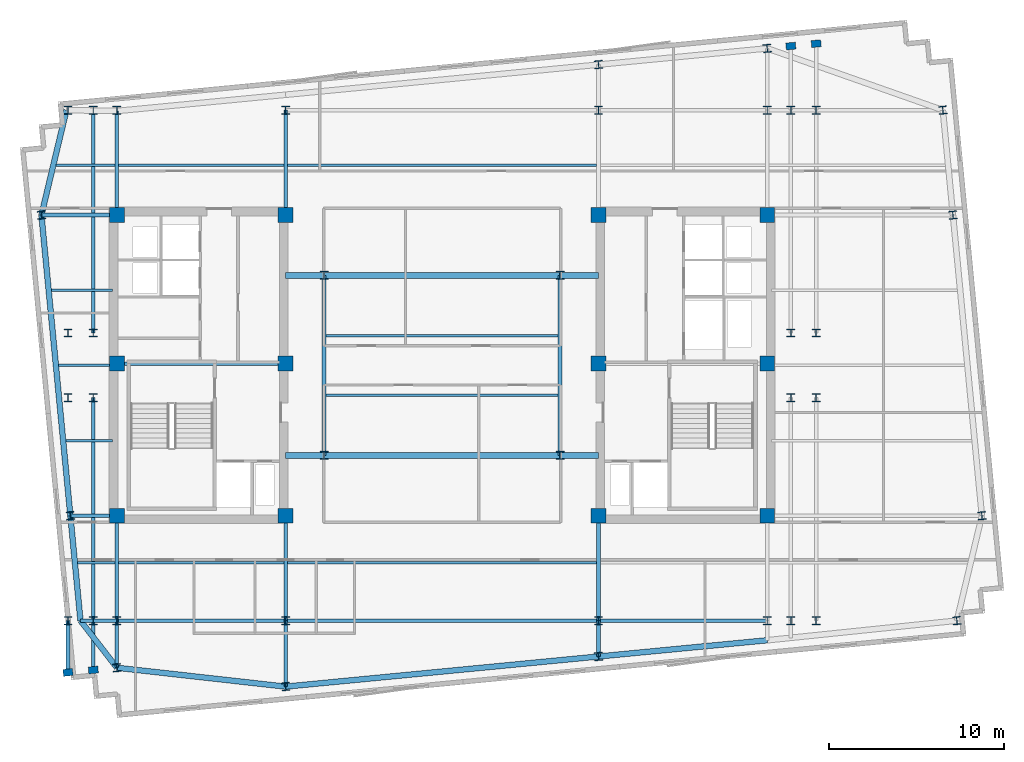
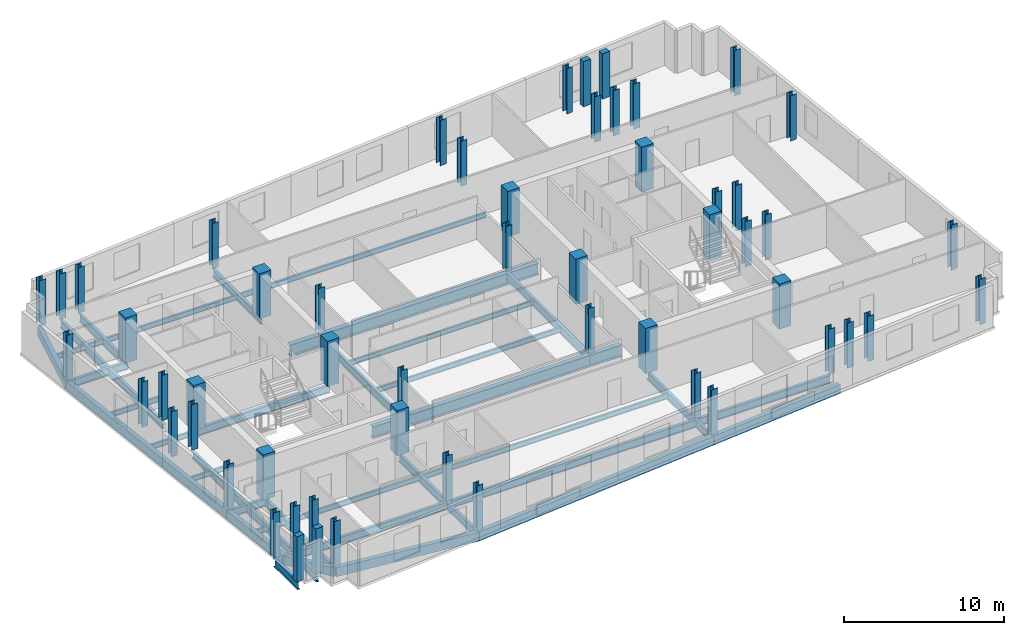
# One storey, part 1 of 8: 55 columns, 45 beams.
"""IFC4 building model written with IfcOpenShell, lengths in metres."""

from ifc_helpers import new_model, si_unit, direction, frame, origin, origin_2d, place, context, subcontext, project, spatial, rectangle, i_section, extrude, material, material_profile, profile_set, type_object, element, save


model = new_model("IFC4")

# Units and contexts
model_context = context("Model", 3, precision=1e-05, world=origin(), true_north=direction((0.0, 1.0)))
body_context = subcontext(model_context, "Body", "Model", "MODEL_VIEW")
ifc_project = project(units=[si_unit("LENGTHUNIT", "METRE"), si_unit("AREAUNIT", "SQUARE_METRE"), si_unit("VOLUMEUNIT", "CUBIC_METRE"), si_unit("PLANEANGLEUNIT", "RADIAN"), si_unit("MASSUNIT", "GRAM", prefix="KILO")], contexts=[model_context])

# Site, building, storey
site_placement = place(None, origin())
site = spatial("IfcSite", under=ifc_project, at=site_placement, CompositionType="ELEMENT")
building_placement = place(site_placement, origin())
building = spatial("IfcBuilding", under=site, at=building_placement, Name="Velakula Bourse", CompositionType="ELEMENT")
storey_placement = place(building_placement, frame((0.0, 0.0, 258.60009765625)))
storey = spatial("IfcBuildingStorey", under=building, at=storey_placement, Name="L70", CompositionType="ELEMENT", Elevation=258.60009765625)

# Columns
ifc_material_1 = material(Name="Concrete M50 (fck 50 MPa)", Category="concrete")
ifc_material_profile_1 = material_profile(ifc_material_1, rectangle(XDim=0.85009765625, YDim=0.85009765625, at=origin_2d()), Name="Concrete M50 (fck 50 MPa)")
ifc_profile_set_1 = profile_set([ifc_material_profile_1], Name="Concrete M50 (fck 50 MPa)")
column_type_1 = type_object("IfcColumnType", Name="COL-RC-850", PredefinedType="COLUMN", material=ifc_profile_set_1)
for number, where, z_axis, x_axis, name in (
    (1, (-8.949951171875, -8.60009765625, 0.0), (0.0, 0.0, 1.0), (1.0, 0.0, 0.0), "L70 Core Boundary Column 01"),
    (2, (-8.949951171875, 0.10009765625, 0.0), (0.0, 0.0, 1.0), (1.0, 0.0, 0.0), "L70 Core Boundary Column 02"),
    (3, (-8.949951171875, 8.60009765625, 0.0), (0.0, 0.0, 1.0), (1.0, 0.0, 0.0), "L70 Core Boundary Column 03"),
    (4, (-18.60009765625, -8.60009765625, 0.0), (0.0, 0.0, 1.0), (1.0, 0.0, 0.0), "L70 Core Boundary Column 04"),
    (5, (-18.60009765625, 0.10009765625, 0.0), (0.0, 0.0, 1.0), (1.0, 0.0, 0.0), "L70 Core Boundary Column 05"),
    (6, (-18.60009765625, 8.60009765625, 0.0), (0.0, 0.0, 1.0), (1.0, 0.0, 0.0), "L70 Core Boundary Column 06"),
    (7, (8.949951171875, -8.60009765625, 0.0), (0.0, 0.0, 1.0), (1.0, 0.0, 0.0), "L70 Core Boundary Column 07"),
    (8, (8.949951171875, 0.10009765625, 0.0), (0.0, 0.0, 1.0), (1.0, 0.0, 0.0), "L70 Core Boundary Column 08"),
    (9, (8.949951171875, 8.60009765625, 0.0), (0.0, 0.0, 1.0), (1.0, 0.0, 0.0), "L70 Core Boundary Column 09"),
    (10, (18.60009765625, -8.60009765625, 0.0), (0.0, 0.0, 1.0), (1.0, 0.0, 0.0), "L70 Core Boundary Column 10"),
    (11, (18.60009765625, 0.10009765625, 0.0), (0.0, 0.0, 1.0), (1.0, 0.0, 0.0), "L70 Core Boundary Column 11"),
    (12, (18.60009765625, 8.60009765625, 0.0), (0.0, 0.0, 1.0), (1.0, 0.0, 0.0), "L70 Core Boundary Column 12"),
):
    element("IfcColumn", number, at=place(storey_placement, frame(where, z_axis=z_axis, x_axis=x_axis)), inside=storey, type_object=column_type_1, Name=name, PredefinedType="COLUMN", context=body_context, shape_type="SweptSolid", body=[
        extrude(rectangle(XDim=0.85009765625, YDim=0.85009765625, at=origin_2d()), origin(), (0.0, 0.0, 1.0), 3.449951171875),
    ])
ifc_material_2 = material(Name="Steel IS 2062 Grade 350 (E350)", Category="steel")
ifc_material_profile_2 = material_profile(ifc_material_2, i_section(OverallWidth=0.449951171875, OverallDepth=0.449951171875, WebThickness=0.02197265625, FlangeThickness=0.031982421875, at=origin_2d()), Name="Steel IS 2062 Grade 350 (E350)")
ifc_profile_set_2 = profile_set([ifc_material_profile_2], Name="Steel IS 2062 Grade 350 (E350)")
column_type_2 = type_object("IfcColumnType", Name="COL-STL-450", PredefinedType="COLUMN", material=ifc_profile_set_2)
for number, where, z_axis, x_axis, name in (
    (13, (-6.75, -5.14990234375, 0.0), (0.0, 0.0, 1.0), (1.0, 0.0, 0.0), "L70 Central Spine Column 01"),
    (14, (-6.75, 5.14990234375, 0.0), (0.0, 0.0, 1.0), (1.0, 0.0, 0.0), "L70 Central Spine Column 02"),
    (15, (6.75, -5.14990234375, 0.0), (0.0, 0.0, 1.0), (1.0, 0.0, 0.0), "L70 Central Spine Column 03"),
    (16, (6.75, 5.14990234375, 0.0), (0.0, 0.0, 1.0), (1.0, 0.0, 0.0), "L70 Central Spine Column 04"),
    (17, (-21.39990234375, -14.60009765625, 0.0), (0.0, 0.0, 1.0), (1.0, 0.0, 0.0), "L70 Tower Fulcrum Column 01"),
    (18, (-21.39990234375, 14.60009765625, 0.0), (0.0, 0.0, 1.0), (1.0, 0.0, 0.0), "L70 Tower Fulcrum Column 02"),
    (19, (-19.949951171875, -14.60009765625, 0.0), (0.0, 0.0, 1.0), (1.0, 0.0, 0.0), "L70 Tower Fulcrum Column 03"),
    (20, (-19.949951171875, 14.60009765625, 0.0), (0.0, 0.0, 1.0), (1.0, 0.0, 0.0), "L70 Tower Fulcrum Column 04"),
    (21, (-18.60009765625, -14.60009765625, 0.0), (0.0, 0.0, 1.0), (1.0, 0.0, 0.0), "L70 Tower Fulcrum Column 05"),
    (22, (-18.60009765625, 14.60009765625, 0.0), (0.0, 0.0, 1.0), (1.0, 0.0, 0.0), "L70 Tower Fulcrum Column 06"),
    (23, (-8.949951171875, -14.60009765625, 0.0), (0.0, 0.0, 1.0), (1.0, 0.0, 0.0), "L70 Tower Fulcrum Column 07"),
    (24, (-8.949951171875, 14.60009765625, 0.0), (0.0, 0.0, 1.0), (1.0, 0.0, 0.0), "L70 Tower Fulcrum Column 08"),
    (25, (8.949951171875, -14.60009765625, 0.0), (0.0, 0.0, 1.0), (1.0, 0.0, 0.0), "L70 Tower Fulcrum Column 09"),
    (26, (8.949951171875, 14.60009765625, 0.0), (0.0, 0.0, 1.0), (1.0, 0.0, 0.0), "L70 Tower Fulcrum Column 10"),
    (27, (18.60009765625, -14.60009765625, 0.0), (0.0, 0.0, 1.0), (1.0, 0.0, 0.0), "L70 Tower Fulcrum Column 11"),
    (28, (18.60009765625, 14.60009765625, 0.0), (0.0, 0.0, 1.0), (1.0, 0.0, 0.0), "L70 Tower Fulcrum Column 12"),
    (29, (19.949951171875, -14.60009765625, 0.0), (0.0, 0.0, 1.0), (1.0, 0.0, 0.0), "L70 Tower Fulcrum Column 13"),
    (30, (19.949951171875, 14.60009765625, 0.0), (0.0, 0.0, 1.0), (1.0, 0.0, 0.0), "L70 Tower Fulcrum Column 14"),
    (31, (21.39990234375, -14.60009765625, 0.0), (0.0, 0.0, 1.0), (1.0, 0.0, 0.0), "L70 Tower Fulcrum Column 15"),
    (32, (21.39990234375, 14.60009765625, 0.0), (0.0, 0.0, 1.0), (1.0, 0.0, 0.0), "L70 Tower Fulcrum Column 16"),
    (33, (-21.39990234375, -1.85009765625, 0.0), (0.0, 0.0, 1.0), (1.0, 0.0, 0.0), "L70 Tower Fulcrum Column 17"),
    (34, (-21.39990234375, 1.85009765625, 0.0), (0.0, 0.0, 1.0), (1.0, 0.0, 0.0), "L70 Tower Fulcrum Column 18"),
    (35, (-19.949951171875, -1.85009765625, 0.0), (0.0, 0.0, 1.0), (1.0, 0.0, 0.0), "L70 Tower Fulcrum Column 19"),
    (36, (-19.949951171875, 1.85009765625, 0.0), (0.0, 0.0, 1.0), (1.0, 0.0, 0.0), "L70 Tower Fulcrum Column 20"),
    (37, (19.949951171875, -1.85009765625, 0.0), (0.0, 0.0, 1.0), (1.0, 0.0, 0.0), "L70 Tower Fulcrum Column 21"),
    (38, (19.949951171875, 1.85009765625, 0.0), (0.0, 0.0, 1.0), (1.0, 0.0, 0.0), "L70 Tower Fulcrum Column 22"),
    (39, (21.39990234375, -1.85009765625, 0.0), (0.0, 0.0, 1.0), (1.0, 0.0, 0.0), "L70 Tower Fulcrum Column 23"),
    (40, (21.39990234375, 1.85009765625, 0.0), (0.0, 0.0, 1.0), (1.0, 0.0, 0.0), "L70 Tower Fulcrum Column 24"),
    (41, (-18.60009765625, -17.294921875, 0.0), (0.0, 0.0, 1.0), (0.995396198367, 0.09584575252, 0.0), "L70 Block B6 Perimeter Column S1"),
    (42, (-8.949951171875, -18.375, 0.0), (0.0, 0.0, 1.0), (0.995396198367, 0.09584575252, 0.0), "L70 Block B6 Perimeter Column S2"),
    (43, (8.949951171875, -16.6513671875, 0.0), (0.0, 0.0, 1.0), (0.995396198367, 0.09584575252, 0.0), "L70 Block B6 Perimeter Column S3"),
    (44, (8.949951171875, 17.20458984375, 0.0), (0.0, 0.0, 1.0), (0.995396198367, 0.09584575252, 0.0), "L70 Block B6 Perimeter Column N3"),
    (45, (18.60009765625, 18.1337890625, 0.0), (0.0, 0.0, 1.0), (0.995396198367, 0.09584575252, 0.0), "L70 Block B6 Perimeter Column N4"),
    (46, (-21.26123046875, -8.60009765625, 0.0), (0.0, 0.0, 1.0), (0.995396198367, 0.09584575252, 0.0), "L70 Block B6 Perimeter Column W2"),
    (47, (-22.91748046875, 8.60009765625, 0.0), (0.0, 0.0, 1.0), (0.995396198367, 0.09584575252, 0.0), "L70 Block B6 Perimeter Column W3"),
    (48, (29.447265625, -14.60009765625, 0.0), (0.0, 0.0, 1.0), (0.995396198367, 0.09584575252, 0.0), "L70 Block B6 Perimeter Column E1"),
    (49, (30.87890625, -8.60009765625, 0.0), (0.0, 0.0, 1.0), (0.995396198367, 0.09584575252, 0.0), "L70 Block B6 Perimeter Column E2"),
    (50, (29.22265625, 8.60009765625, 0.0), (0.0, 0.0, 1.0), (0.995396198367, 0.09584575252, 0.0), "L70 Block B6 Perimeter Column E3"),
    (51, (28.64501953125, 14.60009765625, 0.0), (0.0, 0.0, 1.0), (0.995396198367, 0.09584575252, 0.0), "L70 Block B6 Perimeter Column E4"),
):
    element("IfcColumn", number, at=place(storey_placement, frame(where, z_axis=z_axis, x_axis=x_axis)), inside=storey, type_object=column_type_2, Name=name, PredefinedType="COLUMN", context=body_context, shape_type="SweptSolid", body=[
        extrude(i_section(OverallWidth=0.449951171875, OverallDepth=0.449951171875, WebThickness=0.02197265625, FlangeThickness=0.031982421875, at=origin_2d()), origin(), (0.0, 0.0, 1.0), 3.449951171875),
    ])
ifc_material_3 = material(Name="Precast concrete M45 (fck 45 MPa)", Category="concrete")
ifc_material_profile_3 = material_profile(ifc_material_3, rectangle(XDim=0.550048828125, YDim=0.39990234375, at=origin_2d()), Name="Precast concrete M45 (fck 45 MPa)")
ifc_profile_set_3 = profile_set([ifc_material_profile_3], Name="Precast concrete M45 (fck 45 MPa)")
column_type_3 = type_object("IfcColumnType", Name="PIL-BRICK-550", PredefinedType="PILASTER", material=ifc_profile_set_3)
for number, where, z_axis, x_axis, name in (
    (52, (-21.39990234375, -17.564453125, 0.0), (0.0, 0.0, 1.0), (0.995396198367, 0.09584575252, 0.0), "L70 Brick Pier Pilaster 01"),
    (53, (-19.949951171875, -17.4248046875, 0.0), (0.0, 0.0, 1.0), (0.995396198367, 0.09584575252, 0.0), "L70 Brick Pier Pilaster 02"),
    (54, (19.949951171875, 18.263671875, 0.0), (0.0, 0.0, 1.0), (0.995396198367, 0.09584575252, 0.0), "L70 Brick Pier Pilaster 07"),
    (55, (21.39990234375, 18.4033203125, 0.0), (0.0, 0.0, 1.0), (0.995396198367, 0.09584575252, 0.0), "L70 Brick Pier Pilaster 08"),
):
    element("IfcColumn", number, at=place(storey_placement, frame(where, z_axis=z_axis, x_axis=x_axis)), inside=storey, type_object=column_type_3, Name=name, PredefinedType="PILASTER", context=body_context, shape_type="SweptSolid", body=[
        extrude(rectangle(XDim=0.550048828125, YDim=0.39990234375, at=origin_2d()), origin(), (0.0, 0.0, 1.0), 3.449951171875),
    ])

# Beams
ifc_material_profile_4 = material_profile(ifc_material_2, i_section(OverallWidth=0.2099609375, OverallDepth=0.60009765625, WebThickness=0.011962890625, FlangeThickness=0.020751953125, at=origin_2d()), Name="Steel IS 2062 Grade 350 (E350)")
ifc_profile_set_4 = profile_set([ifc_material_profile_4], Name="Steel IS 2062 Grade 350 (E350)")
beam_type_1 = type_object("IfcBeamType", Name="BM-GRD-600L", PredefinedType="BEAM", material=ifc_profile_set_4)
beam_1_placement = place(storey_placement, frame((-18.60009765625, 0.10009765625, -0.47998046875), z_axis=(1.0, 0.0, 0.0), x_axis=(0.0, 1.0, 0.0)))
element("IfcBeam", 56, at=beam_1_placement, inside=storey, type_object=beam_type_1, Name="L70 Primary Backbone Girder CRW-M", PredefinedType="BEAM", context=body_context, shape_type="SweptSolid", body=[
    extrude(i_section(OverallWidth=0.2099609375, OverallDepth=0.60009765625, WebThickness=0.011962890625, FlangeThickness=0.020751953125, at=origin_2d()), origin(), (0.0, 0.0, 1.0), 9.650146484375),
])
for number, where, z_axis, x_axis, name in (
    (57, (-6.75, -5.14990234375, -0.47998046875), (0.0, 1.0, 0.0), (-1.0, 0.0, 0.0), "L70 Primary Backbone Girder SPN-W"),
    (58, (6.75, -5.14990234375, -0.47998046875), (0.0, 1.0, 0.0), (-1.0, 0.0, 0.0), "L70 Primary Backbone Girder SPN-E"),
):
    element("IfcBeam", number, at=place(storey_placement, frame(where, z_axis=z_axis, x_axis=x_axis)), inside=storey, type_object=beam_type_1, Name=name, PredefinedType="BEAM", context=body_context, shape_type="SweptSolid", body=[
        extrude(i_section(OverallWidth=0.2099609375, OverallDepth=0.60009765625, WebThickness=0.011962890625, FlangeThickness=0.020751953125, at=origin_2d()), origin(), (0.0, 0.0, 1.0), 10.2998046875),
    ])
beam_2_placement = place(storey_placement, frame((-18.60009765625, -14.60009765625, -0.47998046875), z_axis=(0.0, 1.0, 0.0), x_axis=(-1.0, 0.0, 0.0)))
element("IfcBeam", 59, at=beam_2_placement, inside=storey, type_object=beam_type_1, Name="L70 Fulcrum Grid Girder FLC-WS", PredefinedType="BEAM", context=body_context, shape_type="SweptSolid", body=[
    extrude(i_section(OverallWidth=0.2099609375, OverallDepth=0.60009765625, WebThickness=0.011962890625, FlangeThickness=0.020751953125, at=origin_2d()), origin(), (0.0, 0.0, 1.0), 6.0),
])
beam_3_placement = place(storey_placement, frame((-18.60009765625, 8.60009765625, -0.47998046875), z_axis=(0.0, 1.0, 0.0), x_axis=(-1.0, 0.0, 0.0)))
element("IfcBeam", 60, at=beam_3_placement, inside=storey, type_object=beam_type_1, Name="L70 Fulcrum Grid Girder FLC-WN", PredefinedType="BEAM", context=body_context, shape_type="SweptSolid", body=[
    extrude(i_section(OverallWidth=0.2099609375, OverallDepth=0.60009765625, WebThickness=0.011962890625, FlangeThickness=0.020751953125, at=origin_2d()), origin(), (0.0, 0.0, 1.0), 5.95166015625),
])
for number, where, z_axis, x_axis, name in (
    (61, (-8.949951171875, -14.60009765625, -0.47998046875), (0.0, 1.0, 0.0), (-1.0, 0.0, 0.0), "L70 Fulcrum Grid Girder FLC-WCS"),
    (62, (-8.949951171875, 8.60009765625, -0.47998046875), (0.0, 1.0, 0.0), (-1.0, 0.0, 0.0), "L70 Fulcrum Grid Girder FLC-WCN"),
    (63, (8.949951171875, -14.60009765625, -0.47998046875), (0.0, 1.0, 0.0), (-1.0, 0.0, 0.0), "L70 Fulcrum Grid Girder FLC-ECS"),
):
    element("IfcBeam", number, at=place(storey_placement, frame(where, z_axis=z_axis, x_axis=x_axis)), inside=storey, type_object=beam_type_1, Name=name, PredefinedType="BEAM", context=body_context, shape_type="SweptSolid", body=[
        extrude(i_section(OverallWidth=0.2099609375, OverallDepth=0.60009765625, WebThickness=0.011962890625, FlangeThickness=0.020751953125, at=origin_2d()), origin(), (0.0, 0.0, 1.0), 6.0),
    ])
beam_4_placement = place(storey_placement, frame((-18.60009765625, -14.60009765625, -0.47998046875), z_axis=(1.0, 0.0, 0.0), x_axis=(0.0, 1.0, 0.0)))
element("IfcBeam", 64, at=beam_4_placement, inside=storey, type_object=beam_type_1, Name="L70 Fulcrum Grid Girder FLC-S1", PredefinedType="BEAM", context=body_context, shape_type="SweptSolid", body=[
    extrude(i_section(OverallWidth=0.2099609375, OverallDepth=0.60009765625, WebThickness=0.011962890625, FlangeThickness=0.020751953125, at=origin_2d()), origin(), (0.0, 0.0, 1.0), 9.650146484375),
])
beam_5_placement = place(storey_placement, frame((-8.949951171875, -14.60009765625, -0.47998046875), z_axis=(1.0, 0.0, 0.0), x_axis=(0.0, 1.0, 0.0)))
element("IfcBeam", 65, at=beam_5_placement, inside=storey, type_object=beam_type_1, Name="L70 Fulcrum Grid Girder FLC-S2", PredefinedType="BEAM", context=body_context, shape_type="SweptSolid", body=[
    extrude(i_section(OverallWidth=0.2099609375, OverallDepth=0.60009765625, WebThickness=0.011962890625, FlangeThickness=0.020751953125, at=origin_2d()), origin(), (0.0, 0.0, 1.0), 17.89990234375),
])
beam_6_placement = place(storey_placement, frame((8.949951171875, -14.60009765625, -0.47998046875), z_axis=(1.0, 0.0, 0.0), x_axis=(0.0, 1.0, 0.0)))
element("IfcBeam", 66, at=beam_6_placement, inside=storey, type_object=beam_type_1, Name="L70 Fulcrum Grid Girder FLC-S3", PredefinedType="BEAM", context=body_context, shape_type="SweptSolid", body=[
    extrude(i_section(OverallWidth=0.2099609375, OverallDepth=0.60009765625, WebThickness=0.011962890625, FlangeThickness=0.020751953125, at=origin_2d()), origin(), (0.0, 0.0, 1.0), 9.650146484375),
])
beam_7_placement = place(storey_placement, frame((-19.949951171875, -14.60009765625, -0.47998046875), z_axis=(0.0, 1.0, 0.0), x_axis=(-1.0, 0.0, 0.0)))
element("IfcBeam", 67, at=beam_7_placement, inside=storey, type_object=beam_type_1, Name="L70 Fulcrum Grid Girder FLC-PSW2", PredefinedType="BEAM", context=body_context, shape_type="SweptSolid", body=[
    extrude(i_section(OverallWidth=0.2099609375, OverallDepth=0.60009765625, WebThickness=0.011962890625, FlangeThickness=0.020751953125, at=origin_2d()), origin(), (0.0, 0.0, 1.0), 12.75),
])
beam_8_placement = place(storey_placement, frame((-19.949951171875, 1.85009765625, -0.47998046875), z_axis=(0.0, 1.0, 0.0), x_axis=(-1.0, 0.0, 0.0)))
element("IfcBeam", 68, at=beam_8_placement, inside=storey, type_object=beam_type_1, Name="L70 Fulcrum Grid Girder FLC-PNW2", PredefinedType="BEAM", context=body_context, shape_type="SweptSolid", body=[
    extrude(i_section(OverallWidth=0.2099609375, OverallDepth=0.60009765625, WebThickness=0.011962890625, FlangeThickness=0.020751953125, at=origin_2d()), origin(), (0.0, 0.0, 1.0), 12.72412109375),
])
beam_9_placement = place(storey_placement, frame((-18.60009765625, -14.60009765625, -0.47998046875), z_axis=(0.0, -1.0, 0.0), x_axis=(1.0, 0.0, 0.0)))
element("IfcBeam", 69, at=beam_9_placement, inside=storey, type_object=beam_type_1, Name="L70 Perimeter Tie Girder S1", PredefinedType="BEAM", context=body_context, shape_type="SweptSolid", body=[
    extrude(i_section(OverallWidth=0.2099609375, OverallDepth=0.60009765625, WebThickness=0.011962890625, FlangeThickness=0.020751953125, at=origin_2d()), origin(), (0.0, 0.0, 1.0), 2.69482421875),
])
beam_10_placement = place(storey_placement, frame((-8.949951171875, -14.60009765625, -0.47998046875), z_axis=(0.0, -1.0, 0.0), x_axis=(1.0, 0.0, 0.0)))
element("IfcBeam", 70, at=beam_10_placement, inside=storey, type_object=beam_type_1, Name="L70 Perimeter Tie Girder S2", PredefinedType="BEAM", context=body_context, shape_type="SweptSolid", body=[
    extrude(i_section(OverallWidth=0.2099609375, OverallDepth=0.60009765625, WebThickness=0.011962890625, FlangeThickness=0.020751953125, at=origin_2d()), origin(), (0.0, 0.0, 1.0), 3.77490234375),
])
beam_11_placement = place(storey_placement, frame((8.949951171875, -14.60009765625, -0.47998046875), z_axis=(0.0, -1.0, 0.0), x_axis=(1.0, 0.0, 0.0)))
element("IfcBeam", 71, at=beam_11_placement, inside=storey, type_object=beam_type_1, Name="L70 Perimeter Tie Girder S3", PredefinedType="BEAM", context=body_context, shape_type="SweptSolid", body=[
    extrude(i_section(OverallWidth=0.2099609375, OverallDepth=0.60009765625, WebThickness=0.011962890625, FlangeThickness=0.020751953125, at=origin_2d()), origin(), (0.0, 0.0, 1.0), 2.05126953125),
])
beam_12_placement = place(storey_placement, frame((-18.60009765625, -14.60009765625, -0.47998046875), z_axis=(-1.0, 0.0, 0.0), x_axis=(0.0, -1.0, 0.0)))
element("IfcBeam", 72, at=beam_12_placement, inside=storey, type_object=beam_type_1, Name="L70 Perimeter Tie Girder W1", PredefinedType="BEAM", context=body_context, shape_type="SweptSolid", body=[
    extrude(i_section(OverallWidth=0.2099609375, OverallDepth=0.60009765625, WebThickness=0.011962890625, FlangeThickness=0.020751953125, at=origin_2d()), origin(), (0.0, 0.0, 1.0), 2.08349609375),
])
beam_13_placement = place(storey_placement, frame((-18.60009765625, -8.60009765625, -0.47998046875), z_axis=(-1.0, 0.0, 0.0), x_axis=(0.0, -1.0, 0.0)))
element("IfcBeam", 73, at=beam_13_placement, inside=storey, type_object=beam_type_1, Name="L70 Perimeter Tie Girder W2", PredefinedType="BEAM", context=body_context, shape_type="SweptSolid", body=[
    extrude(i_section(OverallWidth=0.2099609375, OverallDepth=0.60009765625, WebThickness=0.011962890625, FlangeThickness=0.020751953125, at=origin_2d()), origin(), (0.0, 0.0, 1.0), 2.6611328125),
])
beam_14_placement = place(storey_placement, frame((-18.60009765625, 8.60009765625, -0.47998046875), z_axis=(-1.0, 0.0, 0.0), x_axis=(0.0, -1.0, 0.0)))
element("IfcBeam", 74, at=beam_14_placement, inside=storey, type_object=beam_type_1, Name="L70 Perimeter Tie Girder W3", PredefinedType="BEAM", context=body_context, shape_type="SweptSolid", body=[
    extrude(i_section(OverallWidth=0.2099609375, OverallDepth=0.60009765625, WebThickness=0.011962890625, FlangeThickness=0.020751953125, at=origin_2d()), origin(), (0.0, 0.0, 1.0), 4.3173828125),
])
beam_15_placement = place(storey_placement, frame((-21.39990234375, -14.60009765625, -0.47998046875), z_axis=(0.0, -1.0, 0.0), x_axis=(1.0, 0.0, 0.0)))
element("IfcBeam", 75, at=beam_15_placement, inside=storey, type_object=beam_type_1, Name="L70 Perimeter Tie Girder P01", PredefinedType="BEAM", context=body_context, shape_type="SweptSolid", body=[
    extrude(i_section(OverallWidth=0.2099609375, OverallDepth=0.60009765625, WebThickness=0.011962890625, FlangeThickness=0.020751953125, at=origin_2d()), origin(), (0.0, 0.0, 1.0), 2.96435546875),
])
beam_16_placement = place(storey_placement, frame((-19.949951171875, -14.60009765625, -0.47998046875), z_axis=(0.0, -1.0, 0.0), x_axis=(1.0, 0.0, 0.0)))
element("IfcBeam", 76, at=beam_16_placement, inside=storey, type_object=beam_type_1, Name="L70 Perimeter Tie Girder P02", PredefinedType="BEAM", context=body_context, shape_type="SweptSolid", body=[
    extrude(i_section(OverallWidth=0.2099609375, OverallDepth=0.60009765625, WebThickness=0.011962890625, FlangeThickness=0.020751953125, at=origin_2d()), origin(), (0.0, 0.0, 1.0), 2.82470703125),
])
ifc_material_profile_5 = material_profile(ifc_material_2, i_section(OverallWidth=0.35009765625, OverallDepth=0.89990234375, WebThickness=0.02001953125, FlangeThickness=0.031982421875, at=origin_2d()), Name="Steel IS 2062 Grade 350 (E350)")
ifc_profile_set_5 = profile_set([ifc_material_profile_5], Name="Steel IS 2062 Grade 350 (E350)")
beam_type_2 = type_object("IfcBeamType", Name="BM-LNK-900", PredefinedType="BEAM", material=ifc_profile_set_5)
beam_17_placement = place(storey_placement, frame((-8.949951171875, -5.14990234375, -0.630126953125), z_axis=(1.0, 0.0, 0.0), x_axis=(0.0, 1.0, 0.0)))
element("IfcBeam", 77, at=beam_17_placement, inside=storey, type_object=beam_type_2, Name="L70 Primary Backbone Girder LNK-S1", PredefinedType="BEAM", context=body_context, shape_type="SweptSolid", body=[
    extrude(i_section(OverallWidth=0.35009765625, OverallDepth=0.89990234375, WebThickness=0.02001953125, FlangeThickness=0.031982421875, at=origin_2d()), origin(), (0.0, 0.0, 1.0), 2.199951171875),
])
beam_18_placement = place(storey_placement, frame((-6.75, -5.14990234375, -0.630126953125), z_axis=(1.0, 0.0, 0.0), x_axis=(0.0, 1.0, 0.0)))
element("IfcBeam", 78, at=beam_18_placement, inside=storey, type_object=beam_type_2, Name="L70 Primary Backbone Girder LNK-S2", PredefinedType="BEAM", context=body_context, shape_type="SweptSolid", body=[
    extrude(i_section(OverallWidth=0.35009765625, OverallDepth=0.89990234375, WebThickness=0.02001953125, FlangeThickness=0.031982421875, at=origin_2d()), origin(), (0.0, 0.0, 1.0), 13.5),
])
for number, where, z_axis, x_axis, name in (
    (79, (6.75, -5.14990234375, -0.630126953125), (1.0, 0.0, 0.0), (0.0, 1.0, 0.0), "L70 Primary Backbone Girder LNK-S3"),
    (80, (-8.949951171875, 5.14990234375, -0.630126953125), (1.0, 0.0, 0.0), (0.0, 1.0, 0.0), "L70 Primary Backbone Girder LNK-N1"),
):
    element("IfcBeam", number, at=place(storey_placement, frame(where, z_axis=z_axis, x_axis=x_axis)), inside=storey, type_object=beam_type_2, Name=name, PredefinedType="BEAM", context=body_context, shape_type="SweptSolid", body=[
        extrude(i_section(OverallWidth=0.35009765625, OverallDepth=0.89990234375, WebThickness=0.02001953125, FlangeThickness=0.031982421875, at=origin_2d()), origin(), (0.0, 0.0, 1.0), 2.199951171875),
    ])
beam_19_placement = place(storey_placement, frame((-6.75, 5.14990234375, -0.630126953125), z_axis=(1.0, 0.0, 0.0), x_axis=(0.0, 1.0, 0.0)))
element("IfcBeam", 81, at=beam_19_placement, inside=storey, type_object=beam_type_2, Name="L70 Primary Backbone Girder LNK-N2", PredefinedType="BEAM", context=body_context, shape_type="SweptSolid", body=[
    extrude(i_section(OverallWidth=0.35009765625, OverallDepth=0.89990234375, WebThickness=0.02001953125, FlangeThickness=0.031982421875, at=origin_2d()), origin(), (0.0, 0.0, 1.0), 13.5),
])
beam_20_placement = place(storey_placement, frame((6.75, 5.14990234375, -0.630126953125), z_axis=(1.0, 0.0, 0.0), x_axis=(0.0, 1.0, 0.0)))
element("IfcBeam", 82, at=beam_20_placement, inside=storey, type_object=beam_type_2, Name="L70 Primary Backbone Girder LNK-N3", PredefinedType="BEAM", context=body_context, shape_type="SweptSolid", body=[
    extrude(i_section(OverallWidth=0.35009765625, OverallDepth=0.89990234375, WebThickness=0.02001953125, FlangeThickness=0.031982421875, at=origin_2d()), origin(), (0.0, 0.0, 1.0), 2.199951171875),
])
ifc_material_profile_6 = material_profile(ifc_material_2, i_section(OverallWidth=0.139892578125, OverallDepth=0.39990234375, WebThickness=0.0087890625, FlangeThickness=0.01611328125, at=origin_2d()), Name="Steel IS 2062 Grade 350 (E350)")
ifc_profile_set_6 = profile_set([ifc_material_profile_6], Name="Steel IS 2062 Grade 350 (E350)")
beam_type_3 = type_object("IfcBeamType", Name="JST-TWR-400", PredefinedType="JOIST", material=ifc_profile_set_6)
beam_21_placement = place(storey_placement, frame((-20.840576171875, -11.300048828125, -0.380126953125), z_axis=(1.0, 0.0, 0.0), x_axis=(0.0, 1.0, 0.0)))
element("IfcBeam", 83, at=beam_21_placement, inside=storey, type_object=beam_type_3, Name="L70 Trading Floor Composite Joist 03", PredefinedType="JOIST", context=body_context, shape_type="SweptSolid", body=[
    extrude(i_section(OverallWidth=0.139892578125, OverallDepth=0.39990234375, WebThickness=0.0087890625, FlangeThickness=0.01611328125, at=origin_2d()), origin(), (0.0, 0.0, 1.0), 2.135498046875),
])
beam_22_placement = place(storey_placement, frame((-18.4951171875, -11.300048828125, -0.380126953125), z_axis=(1.0, 0.0, 0.0), x_axis=(0.0, 1.0, 0.0)))
element("IfcBeam", 84, at=beam_22_placement, inside=storey, type_object=beam_type_3, Name="L70 Trading Floor Composite Joist 04", PredefinedType="JOIST", context=body_context, shape_type="SweptSolid", body=[
    extrude(i_section(OverallWidth=0.139892578125, OverallDepth=0.39990234375, WebThickness=0.0087890625, FlangeThickness=0.01611328125, at=origin_2d()), origin(), (0.0, 0.0, 1.0), 9.440185546875),
])
beam_23_placement = place(storey_placement, frame((-8.844970703125, -11.300048828125, -0.380126953125), z_axis=(1.0, 0.0, 0.0), x_axis=(0.0, 1.0, 0.0)))
element("IfcBeam", 85, at=beam_23_placement, inside=storey, type_object=beam_type_3, Name="L70 Trading Floor Composite Joist 05", PredefinedType="JOIST", context=body_context, shape_type="SweptSolid", body=[
    extrude(i_section(OverallWidth=0.139892578125, OverallDepth=0.39990234375, WebThickness=0.0087890625, FlangeThickness=0.01611328125, at=origin_2d()), origin(), (0.0, 0.0, 1.0), 17.68994140625),
])
beam_24_placement = place(storey_placement, frame((-22.072998046875, 11.449951171875, -0.380126953125), z_axis=(1.0, 0.0, 0.0), x_axis=(0.0, 1.0, 0.0)))
element("IfcBeam", 86, at=beam_24_placement, inside=storey, type_object=beam_type_3, Name="L70 Trading Floor Composite Joist 08", PredefinedType="JOIST", context=body_context, shape_type="SweptSolid", body=[
    extrude(i_section(OverallWidth=0.139892578125, OverallDepth=0.39990234375, WebThickness=0.0087890625, FlangeThickness=0.01611328125, at=origin_2d()), origin(), (0.0, 0.0, 1.0), 3.367919921875),
])
beam_25_placement = place(storey_placement, frame((-18.4951171875, 11.449951171875, -0.380126953125), z_axis=(1.0, 0.0, 0.0), x_axis=(0.0, 1.0, 0.0)))
element("IfcBeam", 87, at=beam_25_placement, inside=storey, type_object=beam_type_3, Name="L70 Trading Floor Composite Joist 09", PredefinedType="JOIST", context=body_context, shape_type="SweptSolid", body=[
    extrude(i_section(OverallWidth=0.139892578125, OverallDepth=0.39990234375, WebThickness=0.0087890625, FlangeThickness=0.01611328125, at=origin_2d()), origin(), (0.0, 0.0, 1.0), 9.440185546875),
])
beam_26_placement = place(storey_placement, frame((-8.844970703125, 11.449951171875, -0.380126953125), z_axis=(1.0, 0.0, 0.0), x_axis=(0.0, 1.0, 0.0)))
element("IfcBeam", 88, at=beam_26_placement, inside=storey, type_object=beam_type_3, Name="L70 Trading Floor Composite Joist 10", PredefinedType="JOIST", context=body_context, shape_type="SweptSolid", body=[
    extrude(i_section(OverallWidth=0.139892578125, OverallDepth=0.39990234375, WebThickness=0.0087890625, FlangeThickness=0.01611328125, at=origin_2d()), origin(), (0.0, 0.0, 1.0), 17.68994140625),
])
for number, where, z_axis, x_axis, name in (
    (89, (-6.64501953125, -1.699951171875, -0.380126953125), (1.0, 0.0, 0.0), (0.0, 1.0, 0.0), "L70 Trading Floor Composite Joist 14"),
    (90, (-6.64501953125, 1.699951171875, -0.380126953125), (1.0, 0.0, 0.0), (0.0, 1.0, 0.0), "L70 Trading Floor Composite Joist 15"),
):
    element("IfcBeam", number, at=place(storey_placement, frame(where, z_axis=z_axis, x_axis=x_axis)), inside=storey, type_object=beam_type_3, Name=name, PredefinedType="JOIST", context=body_context, shape_type="SweptSolid", body=[
        extrude(i_section(OverallWidth=0.139892578125, OverallDepth=0.39990234375, WebThickness=0.0087890625, FlangeThickness=0.01611328125, at=origin_2d()), origin(), (0.0, 0.0, 1.0), 13.2900390625),
    ])
beam_27_placement = place(storey_placement, frame((-21.514404296875, -4.300048828125, -0.380126953125), z_axis=(1.0, 0.0, 0.0), x_axis=(0.0, 1.0, 0.0)))
element("IfcBeam", 91, at=beam_27_placement, inside=storey, type_object=beam_type_3, Name="L70 Trading Floor Composite Joist 16", PredefinedType="JOIST", context=body_context, shape_type="SweptSolid", body=[
    extrude(i_section(OverallWidth=0.139892578125, OverallDepth=0.39990234375, WebThickness=0.0087890625, FlangeThickness=0.01611328125, at=origin_2d()), origin(), (0.0, 0.0, 1.0), 2.664306640625),
])
beam_28_placement = place(storey_placement, frame((-21.9287109375, 0.0, -0.380126953125), z_axis=(1.0, 0.0, 0.0), x_axis=(0.0, 1.0, 0.0)))
element("IfcBeam", 92, at=beam_28_placement, inside=storey, type_object=beam_type_3, Name="L70 Trading Floor Composite Joist 18", PredefinedType="JOIST", context=body_context, shape_type="SweptSolid", body=[
    extrude(i_section(OverallWidth=0.139892578125, OverallDepth=0.39990234375, WebThickness=0.0087890625, FlangeThickness=0.01611328125, at=origin_2d()), origin(), (0.0, 0.0, 1.0), 3.07861328125),
])
beam_29_placement = place(storey_placement, frame((-22.342529296875, 4.300048828125, -0.380126953125), z_axis=(1.0, 0.0, 0.0), x_axis=(0.0, 1.0, 0.0)))
element("IfcBeam", 93, at=beam_29_placement, inside=storey, type_object=beam_type_3, Name="L70 Trading Floor Composite Joist 20", PredefinedType="JOIST", context=body_context, shape_type="SweptSolid", body=[
    extrude(i_section(OverallWidth=0.139892578125, OverallDepth=0.39990234375, WebThickness=0.0087890625, FlangeThickness=0.01611328125, at=origin_2d()), origin(), (0.0, 0.0, 1.0), 3.492431640625),
])
ifc_material_profile_7 = material_profile(ifc_material_3, rectangle(XDim=0.320068359375, YDim=0.679931640625, at=origin_2d()), Name="Precast concrete M45 (fck 45 MPa)")
ifc_profile_set_7 = profile_set([ifc_material_profile_7], Name="Precast concrete M45 (fck 45 MPa)")
beam_type_4 = type_object("IfcBeamType", Name="SPN-BRICK-680", PredefinedType="SPANDREL", material=ifc_profile_set_7)
beam_30_placement = place(storey_placement, frame((-18.60009765625, -17.294921875, -0.52001953125), z_axis=(0.993794803874, -0.111228988093, 0.0), x_axis=(0.111228988093, 0.993794803874, 0.0)))
element("IfcBeam", 94, at=beam_30_placement, inside=storey, type_object=beam_type_4, Name="L70 Brick-Faced Precast Spandrel S1-S2", PredefinedType="SPANDREL", context=body_context, shape_type="SweptSolid", body=[
    extrude(rectangle(XDim=0.320068359375, YDim=0.679931640625, at=origin_2d()), origin(), (0.0, 0.0, 1.0), 9.71044921875),
])
beam_31_placement = place(storey_placement, frame((-8.949951171875, -18.375, -0.52001953125), z_axis=(0.995395836254, 0.095849513134, 0.0), x_axis=(-0.095849513134, 0.995395836254, 0.0)))
element("IfcBeam", 95, at=beam_31_placement, inside=storey, type_object=beam_type_4, Name="L70 Brick-Faced Precast Spandrel S2-S3", PredefinedType="SPANDREL", context=body_context, shape_type="SweptSolid", body=[
    extrude(rectangle(XDim=0.320068359375, YDim=0.679931640625, at=origin_2d()), origin(), (0.0, 0.0, 1.0), 17.982666015625),
])
beam_32_placement = place(storey_placement, frame((8.949951171875, -16.6513671875, -0.52001953125), z_axis=(0.99539623971, 0.095845323155, 0.0), x_axis=(-0.095845323155, 0.99539623971, 0.0)))
element("IfcBeam", 96, at=beam_32_placement, inside=storey, type_object=beam_type_4, Name="L70 Brick-Faced Precast Spandrel S3-S4", PredefinedType="SPANDREL", context=body_context, shape_type="SweptSolid", body=[
    extrude(rectangle(XDim=0.320068359375, YDim=0.679931640625, at=origin_2d()), origin(), (0.0, 0.0, 1.0), 9.69482421875),
])
beam_33_placement = place(storey_placement, frame((-20.68359375, -14.60009765625, -0.52001953125), z_axis=(-0.095829714309, 0.995397742541, 0.0), x_axis=(-0.995397742541, -0.095829714309, 0.0)))
element("IfcBeam", 97, at=beam_33_placement, inside=storey, type_object=beam_type_4, Name="L70 Brick-Faced Precast Spandrel W1-W2", PredefinedType="SPANDREL", context=body_context, shape_type="SweptSolid", body=[
    extrude(rectangle(XDim=0.320068359375, YDim=0.679931640625, at=origin_2d()), origin(), (0.0, 0.0, 1.0), 6.02783203125),
])
beam_34_placement = place(storey_placement, frame((-21.26123046875, -8.60009765625, -0.52001953125), z_axis=(-0.095849167925, 0.995395869495, 0.0), x_axis=(-0.995395869495, -0.095849167925, 0.0)))
element("IfcBeam", 98, at=beam_34_placement, inside=storey, type_object=beam_type_4, Name="L70 Brick-Faced Precast Spandrel W2-W3", PredefinedType="SPANDREL", context=body_context, shape_type="SweptSolid", body=[
    extrude(rectangle(XDim=0.320068359375, YDim=0.679931640625, at=origin_2d()), origin(), (0.0, 0.0, 1.0), 17.27978515625),
])
beam_35_placement = place(storey_placement, frame((-22.91748046875, 8.60009765625, -0.52001953125), z_axis=(0.232091371601, 0.972693988482, 0.0), x_axis=(-0.972693988482, 0.232091371601, 0.0)))
element("IfcBeam", 99, at=beam_35_placement, inside=storey, type_object=beam_type_4, Name="L70 Brick-Faced Precast Spandrel W3-W4", PredefinedType="SPANDREL", context=body_context, shape_type="SweptSolid", body=[
    extrude(rectangle(XDim=0.320068359375, YDim=0.679931640625, at=origin_2d()), origin(), (0.0, 0.0, 1.0), 6.16845703125),
])
beam_36_placement = place(storey_placement, frame((-20.68359375, -14.60009765625, -0.52001953125), z_axis=(0.61165554427, -0.791124197053, 0.0), x_axis=(0.791124197053, 0.61165554427, 0.0)))
element("IfcBeam", 100, at=beam_36_placement, inside=storey, type_object=beam_type_4, Name="L70 Brick-Faced Precast Spandrel W1-S1", PredefinedType="SPANDREL", context=body_context, shape_type="SweptSolid", body=[
    extrude(rectangle(XDim=0.320068359375, YDim=0.679931640625, at=origin_2d()), origin(), (0.0, 0.0, 1.0), 3.40625),
])

save(model, "model.ifc")
